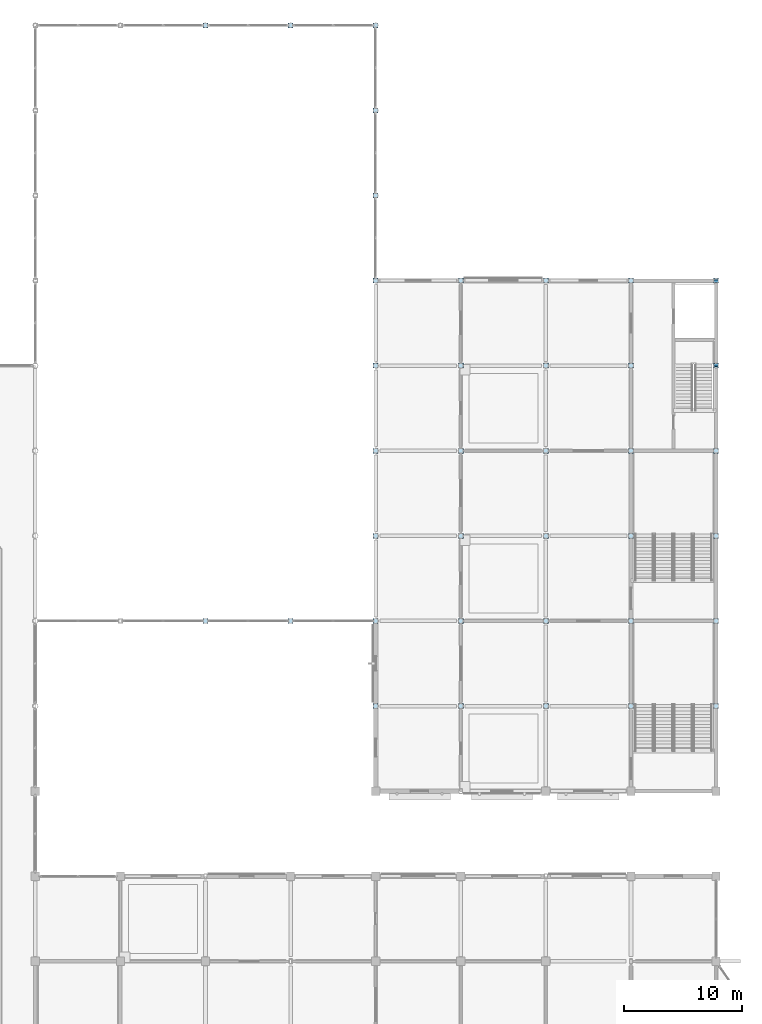
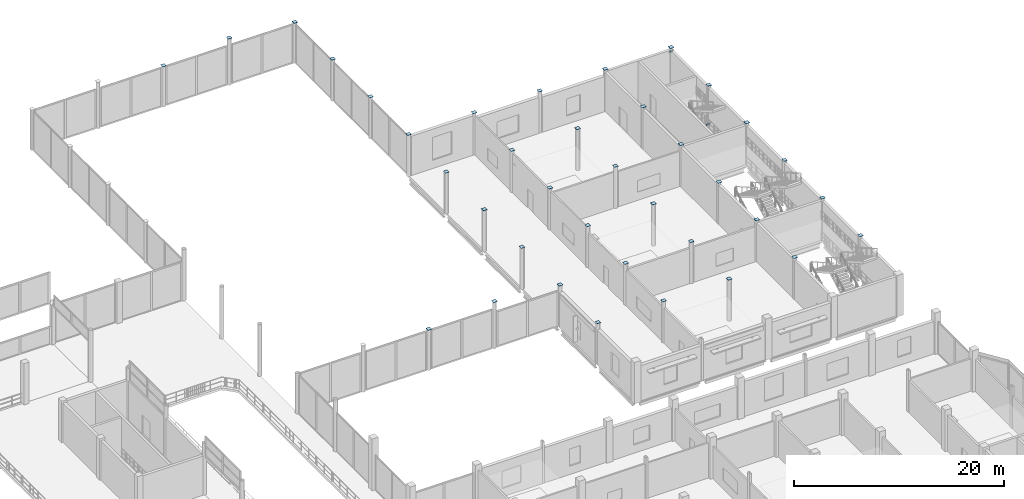
# One storey, part 91 of 120: 39 plates.
"""IFC4 building model written with IfcOpenShell, lengths in metres."""

from ifc_helpers import new_model, si_unit, direction, frame, origin, origin_2d, place, context, subcontext, project, spatial, rectangle, extrude, material, layer, layer_set, type_object, element, save


model = new_model("IFC4")

# Units and contexts
model_context = context("Model", 3, precision=1e-05, world=origin(), true_north=direction((0.0, 1.0)))
body_context = subcontext(model_context, "Body", "Model", "MODEL_VIEW")
ifc_project = project(units=[si_unit("LENGTHUNIT", "METRE"), si_unit("AREAUNIT", "SQUARE_METRE"), si_unit("VOLUMEUNIT", "CUBIC_METRE"), si_unit("PLANEANGLEUNIT", "RADIAN"), si_unit("MASSUNIT", "GRAM", prefix="KILO")], contexts=[model_context])

# Site, building, storey
site_placement = place(None, origin())
site = spatial("IfcSite", under=ifc_project, at=site_placement, CompositionType="ELEMENT")
building_placement = place(site_placement, origin())
building = spatial("IfcBuilding", under=site, at=building_placement, Name="Vesperath Aquatics Centre", CompositionType="ELEMENT")
storey_placement = place(building_placement, frame((0.0, 0.0, 10.199951171875)))
storey = spatial("IfcBuildingStorey", under=building, at=storey_placement, Name="L02", CompositionType="ELEMENT", Elevation=10.199951171875)

# Plates
ifc_material = material(Name="Steel Q355D", Category="steel")
ifc_layer = layer(ifc_material, 0.02392578125)
ifc_layer_set = layer_set([ifc_layer], Name="Steel Q355D")
plate_type = type_object("IfcPlateType", Name="PT-TN04", PredefinedType="SHEET", material=ifc_layer_set)
for number, where, z_axis, x_axis, name in (
    (1, (129.60009765625, 64.800048828125, 4.693115234375), (0.0, 0.0, 1.0), (1.0, 0.0, 0.0), "Hollow Column End Cap Plate TN04 L02 19/K"),
    (2, (129.60009765625, 115.199951171875, 4.693115234375), (0.0, 0.0, 1.0), (1.0, 0.0, 0.0), "Hollow Column End Cap Plate TN04 L02 19/S"),
    (3, (136.800048828125, 64.800048828125, 5.39306640625), (0.0, 0.0, 1.0), (1.0, 0.0, 0.0), "Hollow Column End Cap Plate TN04 L02 20/K"),
    (4, (136.800048828125, 115.199951171875, 5.39306640625), (0.0, 0.0, 1.0), (1.0, 0.0, 0.0), "Hollow Column End Cap Plate TN04 L02 20/S"),
    (5, (144.0, 57.60009765625, 4.7880859375), (0.0, 0.0, 1.0), (1.0, 0.0, 0.0), "Hollow Column End Cap Plate TN04 L02 21/J"),
    (6, (144.0, 64.800048828125, 4.7880859375), (0.0, 0.0, 1.0), (1.0, 0.0, 0.0), "Hollow Column End Cap Plate TN04 L02 21/K"),
    (7, (144.0, 72.0, 4.7880859375), (0.0, 0.0, 1.0), (1.0, 0.0, 0.0), "Hollow Column End Cap Plate TN04 L02 21/L"),
    (8, (144.0, 79.199951171875, 4.7880859375), (0.0, 0.0, 1.0), (1.0, 0.0, 0.0), "Hollow Column End Cap Plate TN04 L02 21/M"),
    (9, (144.0, 86.39990234375, 4.7880859375), (0.0, 0.0, 1.0), (1.0, 0.0, 0.0), "Hollow Column End Cap Plate TN04 L02 21/N"),
    (10, (144.0, 93.60009765625, 4.7880859375), (0.0, 0.0, 1.0), (1.0, 0.0, 0.0), "Hollow Column End Cap Plate TN04 L02 21/P"),
    (11, (144.0, 100.800048828125, 4.7880859375), (0.0, 0.0, 1.0), (1.0, 0.0, 0.0), "Hollow Column End Cap Plate TN04 L02 21/Q"),
    (12, (144.0, 108.0, 4.7880859375), (0.0, 0.0, 1.0), (1.0, 0.0, 0.0), "Hollow Column End Cap Plate TN04 L02 21/R"),
    (13, (144.0, 115.199951171875, 4.693115234375), (0.0, 0.0, 1.0), (1.0, 0.0, 0.0), "Hollow Column End Cap Plate TN04 L02 21/S"),
    (14, (151.199951171875, 57.60009765625, 4.7880859375), (0.0, 0.0, 1.0), (1.0, 0.0, 0.0), "Hollow Column End Cap Plate TN04 L02 22/J"),
    (15, (151.199951171875, 64.800048828125, 4.7880859375), (0.0, 0.0, 1.0), (1.0, 0.0, 0.0), "Hollow Column End Cap Plate TN04 L02 22/K"),
    (16, (151.199951171875, 72.0, 4.7880859375), (0.0, 0.0, 1.0), (1.0, 0.0, 0.0), "Hollow Column End Cap Plate TN04 L02 22/L"),
    (17, (151.199951171875, 79.199951171875, 4.7880859375), (0.0, 0.0, 1.0), (1.0, 0.0, 0.0), "Hollow Column End Cap Plate TN04 L02 22/M"),
    (18, (151.199951171875, 86.39990234375, 4.7880859375), (0.0, 0.0, 1.0), (1.0, 0.0, 0.0), "Hollow Column End Cap Plate TN04 L02 22/N"),
    (19, (151.199951171875, 93.60009765625, 4.7880859375), (0.0, 0.0, 1.0), (1.0, 0.0, 0.0), "Hollow Column End Cap Plate TN04 L02 22/P"),
    (20, (158.39990234375, 57.60009765625, 4.7880859375), (0.0, 0.0, 1.0), (1.0, 0.0, 0.0), "Hollow Column End Cap Plate TN04 L02 23/J"),
    (21, (158.39990234375, 64.800048828125, 4.7880859375), (0.0, 0.0, 1.0), (1.0, 0.0, 0.0), "Hollow Column End Cap Plate TN04 L02 23/K"),
    (22, (158.39990234375, 72.0, 4.7880859375), (0.0, 0.0, 1.0), (1.0, 0.0, 0.0), "Hollow Column End Cap Plate TN04 L02 23/L"),
    (23, (158.39990234375, 79.199951171875, 4.7880859375), (0.0, 0.0, 1.0), (1.0, 0.0, 0.0), "Hollow Column End Cap Plate TN04 L02 23/M"),
    (24, (158.39990234375, 86.39990234375, 4.7880859375), (0.0, 0.0, 1.0), (1.0, 0.0, 0.0), "Hollow Column End Cap Plate TN04 L02 23/N"),
    (25, (158.39990234375, 93.60009765625, 4.7880859375), (0.0, 0.0, 1.0), (1.0, 0.0, 0.0), "Hollow Column End Cap Plate TN04 L02 23/P"),
    (26, (165.60009765625, 57.60009765625, 4.7880859375), (0.0, 0.0, 1.0), (1.0, 0.0, 0.0), "Hollow Column End Cap Plate TN04 L02 24/J"),
    (27, (165.60009765625, 64.800048828125, 4.7880859375), (0.0, 0.0, 1.0), (1.0, 0.0, 0.0), "Hollow Column End Cap Plate TN04 L02 24/K"),
    (28, (165.60009765625, 72.0, 4.7880859375), (0.0, 0.0, 1.0), (1.0, 0.0, 0.0), "Hollow Column End Cap Plate TN04 L02 24/L"),
    (29, (165.60009765625, 79.199951171875, 4.7880859375), (0.0, 0.0, 1.0), (1.0, 0.0, 0.0), "Hollow Column End Cap Plate TN04 L02 24/M"),
    (30, (165.60009765625, 86.39990234375, 4.7880859375), (0.0, 0.0, 1.0), (1.0, 0.0, 0.0), "Hollow Column End Cap Plate TN04 L02 24/N"),
    (31, (165.60009765625, 93.60009765625, 4.7880859375), (0.0, 0.0, 1.0), (1.0, 0.0, 0.0), "Hollow Column End Cap Plate TN04 L02 24/P"),
    (32, (172.800048828125, 57.60009765625, 4.7880859375), (0.0, 0.0, 1.0), (1.0, 0.0, 0.0), "Hollow Column End Cap Plate TN04 L02 25/J"),
    (33, (172.800048828125, 64.800048828125, 4.7880859375), (0.0, 0.0, 1.0), (1.0, 0.0, 0.0), "Hollow Column End Cap Plate TN04 L02 25/K"),
    (34, (172.800048828125, 72.0, 4.7880859375), (0.0, 0.0, 1.0), (1.0, 0.0, 0.0), "Hollow Column End Cap Plate TN04 L02 25/L"),
    (35, (172.800048828125, 79.199951171875, 4.7880859375), (0.0, 0.0, 1.0), (1.0, 0.0, 0.0), "Hollow Column End Cap Plate TN04 L02 25/M"),
    (36, (172.800048828125, 86.39990234375, 4.7880859375), (0.0, 0.0, 1.0), (1.0, 0.0, 0.0), "Hollow Column End Cap Plate TN04 L02 25/N"),
    (37, (172.800048828125, 93.60009765625, 4.7880859375), (0.0, 0.0, 1.0), (1.0, 0.0, 0.0), "Hollow Column End Cap Plate TN04 L02 25/P"),
    (38, (172.800048828125, 86.448486328125, 0.17822265625), (0.0, 0.863778900717, 0.503871025835), (-1.0, 0.0, 0.0), "Truss Node Cap Plate TN04"),
    (39, (172.800048828125, 93.531005859375, 4.3095703125), (0.0, 0.863778900717, 0.503871025835), (-1.0, 0.0, 0.0), "Truss Node Cap Plate TN04"),
):
    element("IfcPlate", number, at=place(storey_placement, frame(where, z_axis=z_axis, x_axis=x_axis)), inside=storey, type_object=plate_type, Name=name, PredefinedType="SHEET", context=body_context, shape_type="SweptSolid", body=[
        extrude(rectangle(XDim=0.419921875, YDim=0.419921875, at=origin_2d()), origin(), (0.0, 0.0, 1.0), 0.02392578125),
    ])

save(model, "model.ifc")
